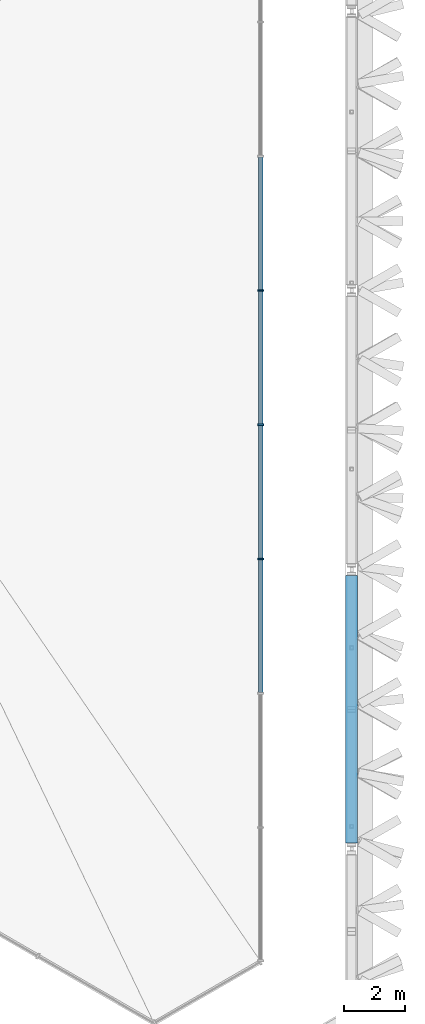
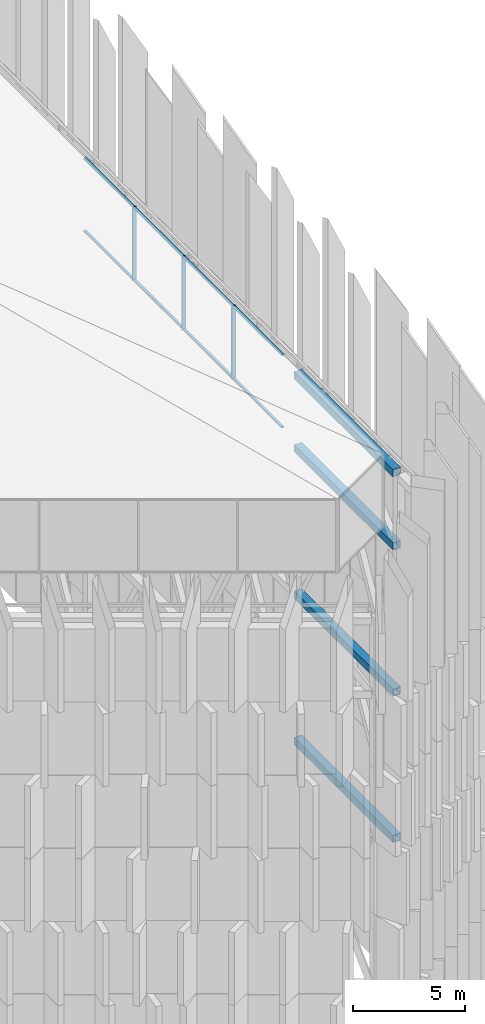
# One storey, part 8 of 45: 15 members, 1 element without a shape of its own.
"""IFC4 building model written with IfcOpenShell, lengths in metres."""

from ifc_helpers import new_model, si_unit, direction, frame, origin, origin_2d, place, context, subcontext, project, spatial, rectangle, hollow_rectangle, extrude, material, layer, layer_set, material_profile, profile_set, type_object, element, aggregate, save


model = new_model("IFC4")

# Units and contexts
model_context = context("Model", 3, precision=1e-05, world=origin(), true_north=direction((0.0, 1.0)))
body_context = subcontext(model_context, "Body", "Model", "MODEL_VIEW")
ifc_project = project(units=[si_unit("LENGTHUNIT", "METRE"), si_unit("AREAUNIT", "SQUARE_METRE"), si_unit("VOLUMEUNIT", "CUBIC_METRE"), si_unit("PLANEANGLEUNIT", "RADIAN"), si_unit("MASSUNIT", "GRAM", prefix="KILO")], contexts=[model_context])

# Site, building, storey
site_placement = place(None, origin())
site = spatial("IfcSite", under=ifc_project, at=site_placement, CompositionType="ELEMENT")
building_placement = place(site_placement, origin())
building = spatial("IfcBuilding", under=site, at=building_placement, Name="Jabali Bay Hotel Tower and Convention Centre", CompositionType="ELEMENT")
storey_placement = place(building_placement, frame((0.0, 0.0, 322.39990234375)))
storey = spatial("IfcBuildingStorey", under=building, at=storey_placement, Name="Crown", CompositionType="ELEMENT", Elevation=322.39990234375)

# Curtain wall, members
ifc_material_1 = material(Name="Aluminium and glass", Category="aluminium")
ifc_layer = layer(ifc_material_1, 0.199951171875)
ifc_layer_set = layer_set([ifc_layer], Name="Aluminium and glass")
curtain_wall_type = type_object("IfcCurtainWallType", Name="CW6 curtain wall", PredefinedType="NOTDEFINED", material=ifc_layer_set)
curtain_wall_placement = place(storey_placement, origin())
curtain_wall = element("IfcCurtainWall", 1, at=curtain_wall_placement, inside=storey, type_object=curtain_wall_type, Name="CW6 lantern glazing 1", PredefinedType="NOTDEFINED")
ifc_material_2 = material(Name="Aluminium", Category="aluminium")
ifc_material_profile_1 = material_profile(ifc_material_2, rectangle(XDim=0.199951171875, YDim=0.06005859375, at=origin_2d()), Name="CW6 mullion 60 x 200")
ifc_profile_set_1 = profile_set([ifc_material_profile_1], Name="Aluminium")
member_type_1 = type_object("IfcMemberType", Name="CW6 mullion 60 x 200", PredefinedType="MULLION", material=ifc_profile_set_1)
member_1_placement = place(storey_placement, frame((90.148681640625, 71.132080078125, 28.35009765625), z_axis=(0.0, 0.0, 1.0), x_axis=(-1.0, 0.0, 0.0)))
member_1 = element("IfcMember", 2, at=member_1_placement, type_object=member_type_1, Name="CW6 mullion 4", PredefinedType="MULLION", context=body_context, shape_type="SweptSolid", body=[
    extrude(rectangle(XDim=0.199951171875, YDim=0.06005859375, at=origin_2d()), origin(), (0.0, 0.0, 1.0), 4.0),
])
member_2_placement = place(storey_placement, frame((90.148681640625, 75.56591796875, 28.35009765625), z_axis=(0.0, 0.0, 1.0), x_axis=(-1.0, 0.0, 0.0)))
member_2 = element("IfcMember", 3, at=member_2_placement, type_object=member_type_1, Name="CW6 mullion 5", PredefinedType="MULLION", context=body_context, shape_type="SweptSolid", body=[
    extrude(rectangle(XDim=0.199951171875, YDim=0.06005859375, at=origin_2d()), origin(), (0.0, 0.0, 1.0), 4.0),
])
member_3_placement = place(storey_placement, frame((90.148681640625, 80.0, 28.35009765625), z_axis=(0.0, 0.0, 1.0), x_axis=(-1.0, 0.0, 0.0)))
member_3 = element("IfcMember", 4, at=member_3_placement, type_object=member_type_1, Name="CW6 mullion 6", PredefinedType="MULLION", context=body_context, shape_type="SweptSolid", body=[
    extrude(rectangle(XDim=0.199951171875, YDim=0.06005859375, at=origin_2d()), origin(), (0.0, 0.0, 1.0), 4.0),
])
ifc_material_profile_2 = material_profile(ifc_material_2, rectangle(XDim=0.139892578125, YDim=0.06005859375, at=origin_2d()), Name="CW6 transom 60 x 140")
ifc_profile_set_2 = profile_set([ifc_material_profile_2], Name="Aluminium")
member_type_2 = type_object("IfcMemberType", Name="CW6 transom 60 x 140", PredefinedType="USERDEFINED", material=ifc_profile_set_2)
member_4_placement = place(storey_placement, frame((90.148681640625, 66.72802734375, 28.380126953125), z_axis=(0.0, 1.0, 0.0), x_axis=(-1.0, 0.0, 0.0)))
member_4 = element("IfcMember", 5, at=member_4_placement, type_object=member_type_2, Name="CW6 transom 3.1", ObjectType="TRANSOM", PredefinedType="USERDEFINED", context=body_context, shape_type="SweptSolid", body=[
    extrude(rectangle(XDim=0.139892578125, YDim=0.06005859375, at=origin_2d()), origin(), (0.0, 0.0, 1.0), 4.3740234375),
])
member_5_placement = place(storey_placement, frame((90.148681640625, 66.72802734375, 32.320068359375), z_axis=(0.0, 1.0, 0.0), x_axis=(-1.0, 0.0, 0.0)))
member_5 = element("IfcMember", 6, at=member_5_placement, type_object=member_type_2, Name="CW6 transom 3.2", ObjectType="TRANSOM", PredefinedType="USERDEFINED", context=body_context, shape_type="SweptSolid", body=[
    extrude(rectangle(XDim=0.139892578125, YDim=0.06005859375, at=origin_2d()), origin(), (0.0, 0.0, 1.0), 4.3740234375),
])
member_6_placement = place(storey_placement, frame((90.148681640625, 71.162109375, 28.380126953125), z_axis=(0.0, 1.0, 0.0), x_axis=(-1.0, 0.0, 0.0)))
member_6 = element("IfcMember", 7, at=member_6_placement, type_object=member_type_2, Name="CW6 transom 4.1", ObjectType="TRANSOM", PredefinedType="USERDEFINED", context=body_context, shape_type="SweptSolid", body=[
    extrude(rectangle(XDim=0.139892578125, YDim=0.06005859375, at=origin_2d()), origin(), (0.0, 0.0, 1.0), 4.3740234375),
])
member_7_placement = place(storey_placement, frame((90.148681640625, 71.162109375, 32.320068359375), z_axis=(0.0, 1.0, 0.0), x_axis=(-1.0, 0.0, 0.0)))
member_7 = element("IfcMember", 8, at=member_7_placement, type_object=member_type_2, Name="CW6 transom 4.2", ObjectType="TRANSOM", PredefinedType="USERDEFINED", context=body_context, shape_type="SweptSolid", body=[
    extrude(rectangle(XDim=0.139892578125, YDim=0.06005859375, at=origin_2d()), origin(), (0.0, 0.0, 1.0), 4.3740234375),
])
member_8_placement = place(storey_placement, frame((90.148681640625, 75.595947265625, 28.380126953125), z_axis=(0.0, 1.0, 0.0), x_axis=(-1.0, 0.0, 0.0)))
member_8 = element("IfcMember", 9, at=member_8_placement, type_object=member_type_2, Name="CW6 transom 5.1", ObjectType="TRANSOM", PredefinedType="USERDEFINED", context=body_context, shape_type="SweptSolid", body=[
    extrude(rectangle(XDim=0.139892578125, YDim=0.06005859375, at=origin_2d()), origin(), (0.0, 0.0, 1.0), 4.3740234375),
])
member_9_placement = place(storey_placement, frame((90.148681640625, 75.595947265625, 32.320068359375), z_axis=(0.0, 1.0, 0.0), x_axis=(-1.0, 0.0, 0.0)))
member_9 = element("IfcMember", 10, at=member_9_placement, type_object=member_type_2, Name="CW6 transom 5.2", ObjectType="TRANSOM", PredefinedType="USERDEFINED", context=body_context, shape_type="SweptSolid", body=[
    extrude(rectangle(XDim=0.139892578125, YDim=0.06005859375, at=origin_2d()), origin(), (0.0, 0.0, 1.0), 4.3740234375),
])
member_10_placement = place(storey_placement, frame((90.148681640625, 80.030029296875, 28.380126953125), z_axis=(0.0, 1.0, 0.0), x_axis=(-1.0, 0.0, 0.0)))
member_10 = element("IfcMember", 11, at=member_10_placement, type_object=member_type_2, Name="CW6 transom 6.1", ObjectType="TRANSOM", PredefinedType="USERDEFINED", context=body_context, shape_type="SweptSolid", body=[
    extrude(rectangle(XDim=0.139892578125, YDim=0.06005859375, at=origin_2d()), origin(), (0.0, 0.0, 1.0), 4.3740234375),
])
member_11_placement = place(storey_placement, frame((90.148681640625, 80.030029296875, 32.320068359375), z_axis=(0.0, 1.0, 0.0), x_axis=(-1.0, 0.0, 0.0)))
member_11 = element("IfcMember", 12, at=member_11_placement, type_object=member_type_2, Name="CW6 transom 6.2", ObjectType="TRANSOM", PredefinedType="USERDEFINED", context=body_context, shape_type="SweptSolid", body=[
    extrude(rectangle(XDim=0.139892578125, YDim=0.06005859375, at=origin_2d()), origin(), (0.0, 0.0, 1.0), 4.3740234375),
])
aggregate(curtain_wall, [member_1, member_2, member_3, member_4, member_5, member_6, member_7, member_8, member_9, member_10, member_11])

# Members
ifc_material_3 = material(Name="Steel Q420GJC", Category="steel")
ifc_material_profile_3 = material_profile(ifc_material_3, hollow_rectangle(XDim=0.39990234375, YDim=0.39990234375, WallThickness=0.02001953125, at=origin_2d()), Name="Crown frame member 400x400x20")
ifc_profile_set_3 = profile_set([ifc_material_profile_3], Name="Steel Q420GJC")
member_type_3 = type_object("IfcMemberType", Name="Crown frame member 400x400x20", PredefinedType="USERDEFINED", material=ifc_profile_set_3)
for number, where, z_axis, x_axis, name in (
    (13, (93.148681640625, 61.75439453125, 7.971435546875), (0.0, 1.0, 0.0), (-1.0, 0.0, 0.0), "Crown ring 330.371 F0.1-F0.2"),
    (14, (93.148681640625, 61.75439453125, 15.94287109375), (0.0, 1.0, 0.0), (-1.0, 0.0, 0.0), "Crown ring 338.343 F0.1-F0.2"),
    (15, (93.148681640625, 61.75439453125, 23.914306640625), (0.0, 1.0, 0.0), (-1.0, 0.0, 0.0), "Crown ring 346.314 F0.1-F0.2"),
    (16, (93.148681640625, 61.75439453125, 27.900146484375), (0.0, 1.0, 0.0), (-1.0, 0.0, 0.0), "Crown ring 350.3 F0.1-F0.2"),
):
    element("IfcMember", number, at=place(storey_placement, frame(where, z_axis=z_axis, x_axis=x_axis)), inside=storey, type_object=member_type_3, Name=name, ObjectType="CROWN FRAME", PredefinedType="USERDEFINED", context=body_context, shape_type="SweptSolid", body=[
        extrude(hollow_rectangle(XDim=0.39990234375, YDim=0.39990234375, WallThickness=0.02001953125, at=origin_2d()), origin(), (0.0, 0.0, 1.0), 8.82275390625),
    ])

save(model, "model.ifc")
